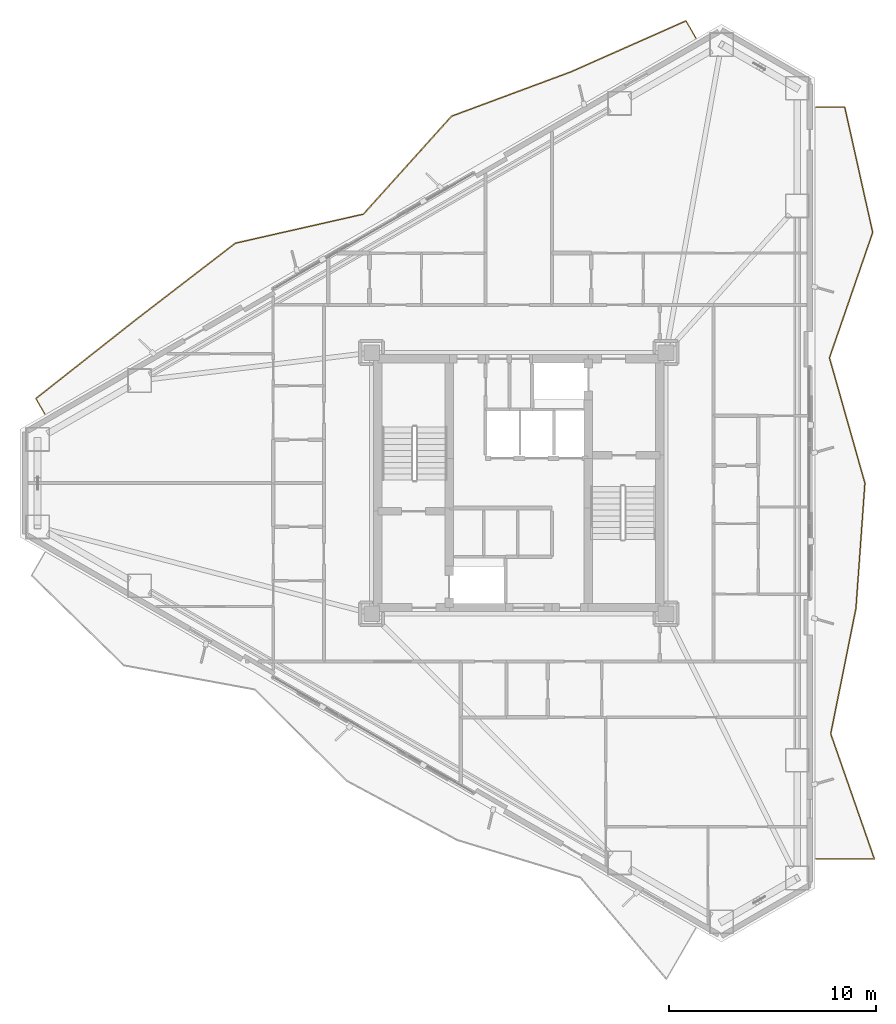
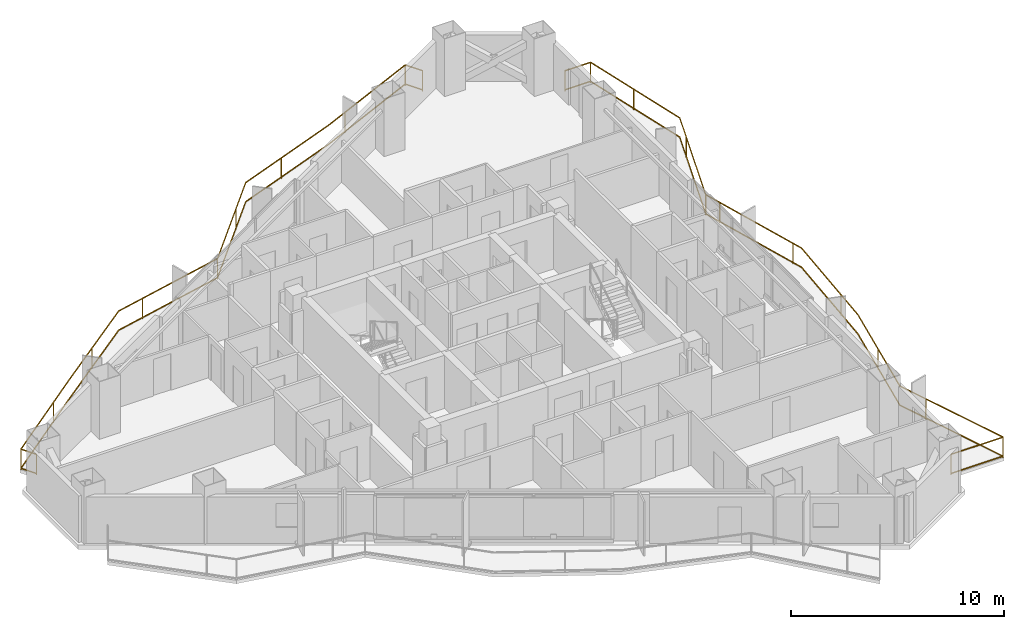
# One storey, part 23 of 23: 2 railings.
"""IFC4 building model written with IfcOpenShell, lengths in metres."""

from ifc_helpers import new_model, si_unit, direction, frame, origin, origin_2d, place, context, subcontext, project, spatial, rectangle, extrude, material, type_object, element, save


model = new_model("IFC4")

# Units and contexts
model_context = context("Model", 3, precision=1e-05, world=origin(), true_north=direction((0.0, 1.0)))
body_context = subcontext(model_context, "Body", "Model", "MODEL_VIEW")
ifc_project = project(units=[si_unit("LENGTHUNIT", "METRE"), si_unit("AREAUNIT", "SQUARE_METRE"), si_unit("VOLUMEUNIT", "CUBIC_METRE"), si_unit("PLANEANGLEUNIT", "RADIAN"), si_unit("MASSUNIT", "GRAM", prefix="KILO")], contexts=[model_context])

# Site, building, storey
site_placement = place(None, origin())
site = spatial("IfcSite", under=ifc_project, at=site_placement, CompositionType="ELEMENT")
building_placement = place(site_placement, origin())
building = spatial("IfcBuilding", under=site, at=building_placement, Name="Mersakhor Tower and Convention Hall", CompositionType="ELEMENT")
storey_placement = place(building_placement, frame((0.0, 0.0, 106.5)))
storey = spatial("IfcBuildingStorey", under=building, at=storey_placement, Name="L29", CompositionType="ELEMENT", Elevation=106.5)

# Railings
ifc_material = material(Name="Powder-coated galvanised steel and laminated glass balustrade", Category="steel")
railing_type = type_object("IfcRailingType", Name="RL-BAL-1200", PredefinedType="BALUSTRADE", material=ifc_material)
railing_1_placement = place(storey_placement, frame((37.541259765625, 48.2333984375, 0.0)))
element("IfcRailing", 1, at=railing_1_placement, inside=storey, type_object=railing_type, Name="L29 Sinusoidal Balcony Balustrade F1", PredefinedType="BALUSTRADE", context=body_context, shape_type="SweptSolid", body=[
    extrude(rectangle(XDim=0.048095703125, YDim=0.048095703125, at=origin_2d()), frame((0.0, 0.0, 1.17578125), z_axis=(-0.499871924981, 0.866099335305, 0.0), x_axis=(-0.866099335305, -0.499871924981, 0.0)), (0.0, 0.0, 1.0), 0.942626953125),
    extrude(rectangle(XDim=0.048095703125, YDim=0.048095703125, at=origin_2d()), frame((0.0, 0.0, 0.080078125), z_axis=(-0.499871924981, 0.866099335305, 0.0), x_axis=(-0.866099335305, -0.499871924981, 0.0)), (0.0, 0.0, 1.0), 0.942626953125),
    extrude(rectangle(XDim=0.048095703125, YDim=0.048095703125, at=origin_2d()), frame((-0.47119140625, 0.81640625, 1.17578125), z_axis=(-0.914358733126, -0.404905059435, 0.0), x_axis=(0.404905059435, -0.914358733126, 0.0)), (0.0, 0.0, 1.0), 6.080810546875),
    extrude(rectangle(XDim=0.048095703125, YDim=0.048095703125, at=origin_2d()), frame((-0.47119140625, 0.81640625, 0.080078125), z_axis=(-0.914358733126, -0.404905059435, 0.0), x_axis=(0.404905059435, -0.914358733126, 0.0)), (0.0, 0.0, 1.0), 6.080810546875),
    extrude(rectangle(XDim=0.048095703125, YDim=0.048095703125, at=origin_2d()), frame((-6.03125, -1.645751953125, 1.17578125), z_axis=(-0.937425643272, -0.348185530049, 0.0), x_axis=(0.348185530049, -0.937425643272, 0.0)), (0.0, 0.0, 1.0), 6.132568359375),
    extrude(rectangle(XDim=0.048095703125, YDim=0.048095703125, at=origin_2d()), frame((-6.03125, -1.645751953125, 0.080078125), z_axis=(-0.937425643272, -0.348185530049, 0.0), x_axis=(0.348185530049, -0.937425643272, 0.0)), (0.0, 0.0, 1.0), 6.132568359375),
    extrude(rectangle(XDim=0.048095703125, YDim=0.048095703125, at=origin_2d()), frame((-11.780029296875, -3.781005859375, 1.17578125), z_axis=(-0.669017769622, -0.743246408623, 0.0), x_axis=(0.743246408623, -0.669017769622, 0.0)), (0.0, 0.0, 1.0), 6.357666015625),
    extrude(rectangle(XDim=0.048095703125, YDim=0.048095703125, at=origin_2d()), frame((-11.780029296875, -3.781005859375, 0.080078125), z_axis=(-0.669017769622, -0.743246408623, 0.0), x_axis=(0.743246408623, -0.669017769622, 0.0)), (0.0, 0.0, 1.0), 6.357666015625),
    extrude(rectangle(XDim=0.048095703125, YDim=0.048095703125, at=origin_2d()), frame((-16.033447265625, -8.50634765625, 1.17578125), z_axis=(-0.975231263286, -0.221187664911, 0.0), x_axis=(0.221187664911, -0.975231263286, 0.0)), (0.0, 0.0, 1.0), 6.330078125),
    extrude(rectangle(XDim=0.048095703125, YDim=0.048095703125, at=origin_2d()), frame((-16.033447265625, -8.50634765625, 0.080078125), z_axis=(-0.975231263286, -0.221187664911, 0.0), x_axis=(0.221187664911, -0.975231263286, 0.0)), (0.0, 0.0, 1.0), 6.330078125),
    extrude(rectangle(XDim=0.048095703125, YDim=0.048095703125, at=origin_2d()), frame((-22.206787109375, -9.906494140625, 1.17578125), z_axis=(-0.792751941784, -0.60954438624, 0.0), x_axis=(0.60954438624, -0.792751941784, 0.0)), (0.0, 0.0, 1.0), 6.099365234375),
    extrude(rectangle(XDim=0.048095703125, YDim=0.048095703125, at=origin_2d()), frame((-22.206787109375, -9.906494140625, 0.080078125), z_axis=(-0.792751941784, -0.60954438624, 0.0), x_axis=(0.60954438624, -0.792751941784, 0.0)), (0.0, 0.0, 1.0), 6.099365234375),
    extrude(rectangle(XDim=0.048095703125, YDim=0.048095703125, at=origin_2d()), frame((-27.0419921875, -13.624267578125, 1.17578125), z_axis=(-0.785235537002, -0.619197182995, 0.0), x_axis=(0.619197182995, -0.785235537002, 0.0)), (0.0, 0.0, 1.0), 6.109375),
    extrude(rectangle(XDim=0.048095703125, YDim=0.048095703125, at=origin_2d()), frame((-27.0419921875, -13.624267578125, 0.080078125), z_axis=(-0.785235537002, -0.619197182995, 0.0), x_axis=(0.619197182995, -0.785235537002, 0.0)), (0.0, 0.0, 1.0), 6.109375),
    extrude(rectangle(XDim=0.048095703125, YDim=0.048095703125, at=origin_2d()), frame((-31.83935546875, -17.4072265625, 1.17578125), z_axis=(0.499839240638, -0.866118198353, 0.0), x_axis=(0.866118198353, 0.499839240638, 0.0)), (0.0, 0.0, 1.0), 0.844482421875),
    extrude(rectangle(XDim=0.048095703125, YDim=0.048095703125, at=origin_2d()), frame((-31.83935546875, -17.4072265625, 0.080078125), z_axis=(0.499839240638, -0.866118198353, 0.0), x_axis=(0.866118198353, 0.499839240638, 0.0)), (0.0, 0.0, 1.0), 0.844482421875),
    extrude(rectangle(XDim=0.0419921875, YDim=0.0419921875, at=origin_2d()), origin(), (0.0, 0.0, 1.0), 1.15185546875),
    extrude(rectangle(XDim=0.0419921875, YDim=0.0419921875, at=origin_2d()), frame((-0.47119140625, 0.81640625, 0.0)), (0.0, 0.0, 1.0), 1.15185546875),
    extrude(rectangle(XDim=0.0419921875, YDim=0.0419921875, at=origin_2d()), frame((-4.860107421875, -1.127197265625, 0.0)), (0.0, 0.0, 1.0), 1.15185546875),
    extrude(rectangle(XDim=0.0419921875, YDim=0.0419921875, at=origin_2d()), frame((-9.330322265625, -2.87109375, 0.0)), (0.0, 0.0, 1.0), 1.15185546875),
    extrude(rectangle(XDim=0.0419921875, YDim=0.0419921875, at=origin_2d()), frame((-13.242919921875, -5.40625, 0.0)), (0.0, 0.0, 1.0), 1.15185546875),
    extrude(rectangle(XDim=0.0419921875, YDim=0.0419921875, at=origin_2d()), frame((-16.033447265625, -8.50634765625, 0.0)), (0.0, 0.0, 1.0), 1.15185546875),
    extrude(rectangle(XDim=0.0419921875, YDim=0.0419921875, at=origin_2d()), frame((-20.714599609375, -9.568115234375, 0.0)), (0.0, 0.0, 1.0), 1.15185546875),
    extrude(rectangle(XDim=0.0419921875, YDim=0.0419921875, at=origin_2d()), frame((-24.799072265625, -11.899658203125, 0.0)), (0.0, 0.0, 1.0), 1.15185546875),
    extrude(rectangle(XDim=0.0419921875, YDim=0.0419921875, at=origin_2d()), frame((-28.58935546875, -14.844482421875, 0.0)), (0.0, 0.0, 1.0), 1.15185546875),
    extrude(rectangle(XDim=0.0419921875, YDim=0.0419921875, at=origin_2d()), frame((-31.83935546875, -17.4072265625, 0.0)), (0.0, 0.0, 1.0), 1.15185546875),
    extrude(rectangle(XDim=0.0419921875, YDim=0.0419921875, at=origin_2d()), frame((-31.417236328125, -18.138671875, 0.0)), (0.0, 0.0, 1.0), 1.15185546875),
])
railing_2_placement = place(storey_placement, frame((43.334716796875, 8.611328125, 0.0)))
element("IfcRailing", 2, at=railing_2_placement, inside=storey, type_object=railing_type, Name="L29 Sinusoidal Balcony Balustrade F2", PredefinedType="BALUSTRADE", context=body_context, shape_type="SweptSolid", body=[
    extrude(rectangle(XDim=0.048095703125, YDim=0.048095703125, at=origin_2d()), frame((0.0, 0.0, 1.17578125), z_axis=(1.0, 0.0, 0.0), x_axis=(0.0, 1.0, 0.0)), (0.0, 0.0, 1.0), 2.81982421875),
    extrude(rectangle(XDim=0.048095703125, YDim=0.048095703125, at=origin_2d()), frame((0.0, 0.0, 0.080078125), z_axis=(1.0, 0.0, 0.0), x_axis=(0.0, 1.0, 0.0)), (0.0, 0.0, 1.0), 2.81982421875),
    extrude(rectangle(XDim=0.048095703125, YDim=0.048095703125, at=origin_2d()), frame((2.81982421875, 0.0, 1.17578125), z_axis=(-0.329305754386, 0.944223342292, 0.0), x_axis=(-0.944223342292, -0.329305754386, 0.0)), (0.0, 0.0, 1.0), 6.4033203125),
    extrude(rectangle(XDim=0.048095703125, YDim=0.048095703125, at=origin_2d()), frame((2.81982421875, 0.0, 0.080078125), z_axis=(-0.329305754386, 0.944223342292, 0.0), x_axis=(-0.944223342292, -0.329305754386, 0.0)), (0.0, 0.0, 1.0), 6.4033203125),
    extrude(rectangle(XDim=0.048095703125, YDim=0.048095703125, at=origin_2d()), frame((0.711181640625, 6.046142578125, 1.17578125), z_axis=(0.197212211154, 0.980360823254, 0.0), x_axis=(-0.980360823254, 0.197212211154, 0.0)), (0.0, 0.0, 1.0), 6.16748046875),
    extrude(rectangle(XDim=0.048095703125, YDim=0.048095703125, at=origin_2d()), frame((0.711181640625, 6.046142578125, 0.080078125), z_axis=(0.197212211154, 0.980360823254, 0.0), x_axis=(-0.980360823254, 0.197212211154, 0.0)), (0.0, 0.0, 1.0), 6.16748046875),
    extrude(rectangle(XDim=0.048095703125, YDim=0.048095703125, at=origin_2d()), frame((1.927490234375, 12.092529296875, 1.17578125), z_axis=(0.071530411171, 0.997438419291, 0.0), x_axis=(-0.997438419291, 0.071530411171, 0.0)), (0.0, 0.0, 1.0), 6.061767578125),
    extrude(rectangle(XDim=0.048095703125, YDim=0.048095703125, at=origin_2d()), frame((1.927490234375, 12.092529296875, 0.080078125), z_axis=(0.071530411171, 0.997438419291, 0.0), x_axis=(-0.997438419291, 0.071530411171, 0.0)), (0.0, 0.0, 1.0), 6.061767578125),
    extrude(rectangle(XDim=0.048095703125, YDim=0.048095703125, at=origin_2d()), frame((2.361083984375, 18.138671875, 1.17578125), z_axis=(-0.272323823237, 0.962205661643, 0.0), x_axis=(-0.962205661643, -0.272323823237, 0.0)), (0.0, 0.0, 1.0), 6.28369140625),
    extrude(rectangle(XDim=0.048095703125, YDim=0.048095703125, at=origin_2d()), frame((2.361083984375, 18.138671875, 0.080078125), z_axis=(-0.272323823237, 0.962205661643, 0.0), x_axis=(-0.962205661643, -0.272323823237, 0.0)), (0.0, 0.0, 1.0), 6.28369140625),
    extrude(rectangle(XDim=0.048095703125, YDim=0.048095703125, at=origin_2d()), frame((0.64990234375, 24.184814453125, 1.17578125), z_axis=(0.326229461684, 0.945290610516, 0.0), x_axis=(-0.945290610516, 0.326229461684, 0.0)), (0.0, 0.0, 1.0), 6.396240234375),
    extrude(rectangle(XDim=0.048095703125, YDim=0.048095703125, at=origin_2d()), frame((0.64990234375, 24.184814453125, 0.080078125), z_axis=(0.326229461684, 0.945290610516, 0.0), x_axis=(-0.945290610516, 0.326229461684, 0.0)), (0.0, 0.0, 1.0), 6.396240234375),
    extrude(rectangle(XDim=0.048095703125, YDim=0.048095703125, at=origin_2d()), frame((2.736572265625, 30.231201171875, 1.17578125), z_axis=(-0.217894258235, 0.975972382923, 0.0), x_axis=(-0.975972382923, -0.217894258235, 0.0)), (0.0, 0.0, 1.0), 6.195068359375),
    extrude(rectangle(XDim=0.048095703125, YDim=0.048095703125, at=origin_2d()), frame((2.736572265625, 30.231201171875, 0.080078125), z_axis=(-0.217894258235, 0.975972382923, 0.0), x_axis=(-0.975972382923, -0.217894258235, 0.0)), (0.0, 0.0, 1.0), 6.195068359375),
    extrude(rectangle(XDim=0.048095703125, YDim=0.048095703125, at=origin_2d()), frame((1.38671875, 36.27734375, 1.17578125), z_axis=(-1.0, 0.0, 0.0), x_axis=(0.0, -1.0, 0.0)), (0.0, 0.0, 1.0), 1.38671875),
    extrude(rectangle(XDim=0.048095703125, YDim=0.048095703125, at=origin_2d()), frame((1.38671875, 36.27734375, 0.080078125), z_axis=(-1.0, 0.0, 0.0), x_axis=(0.0, -1.0, 0.0)), (0.0, 0.0, 1.0), 1.38671875),
    extrude(rectangle(XDim=0.0419921875, YDim=0.0419921875, at=origin_2d()), origin(), (0.0, 0.0, 1.0), 1.15185546875),
    extrude(rectangle(XDim=0.0419921875, YDim=0.0419921875, at=origin_2d()), frame((2.81982421875, 0.0, 0.0)), (0.0, 0.0, 1.0), 1.15185546875),
    extrude(rectangle(XDim=0.0419921875, YDim=0.0419921875, at=origin_2d()), frame((1.2392578125, 4.5322265625, 0.0)), (0.0, 0.0, 1.0), 1.15185546875),
    extrude(rectangle(XDim=0.0419921875, YDim=0.0419921875, at=origin_2d()), frame((1.341552734375, 9.18017578125, 0.0)), (0.0, 0.0, 1.0), 1.15185546875),
    extrude(rectangle(XDim=0.0419921875, YDim=0.0419921875, at=origin_2d()), frame((2.058349609375, 13.9169921875, 0.0)), (0.0, 0.0, 1.0), 1.15185546875),
    extrude(rectangle(XDim=0.0419921875, YDim=0.0419921875, at=origin_2d()), frame((2.20654296875, 18.684814453125, 0.0)), (0.0, 0.0, 1.0), 1.15185546875),
    extrude(rectangle(XDim=0.0419921875, YDim=0.0419921875, at=origin_2d()), frame((0.8994140625, 23.30322265625, 0.0)), (0.0, 0.0, 1.0), 1.15185546875),
    extrude(rectangle(XDim=0.0419921875, YDim=0.0419921875, at=origin_2d()), frame((0.64990234375, 24.184814453125, 0.0)), (0.0, 0.0, 1.0), 1.15185546875),
    extrude(rectangle(XDim=0.0419921875, YDim=0.0419921875, at=origin_2d()), frame((2.2158203125, 28.72216796875, 0.0)), (0.0, 0.0, 1.0), 1.15185546875),
    extrude(rectangle(XDim=0.0419921875, YDim=0.0419921875, at=origin_2d()), frame((2.03857421875, 33.35791015625, 0.0)), (0.0, 0.0, 1.0), 1.15185546875),
    extrude(rectangle(XDim=0.0419921875, YDim=0.0419921875, at=origin_2d()), frame((1.38671875, 36.27734375, 0.0)), (0.0, 0.0, 1.0), 1.15185546875),
    extrude(rectangle(XDim=0.0419921875, YDim=0.0419921875, at=origin_2d()), frame((0.0, 36.27734375, 0.0)), (0.0, 0.0, 1.0), 1.15185546875),
])

save(model, "model.ifc")
